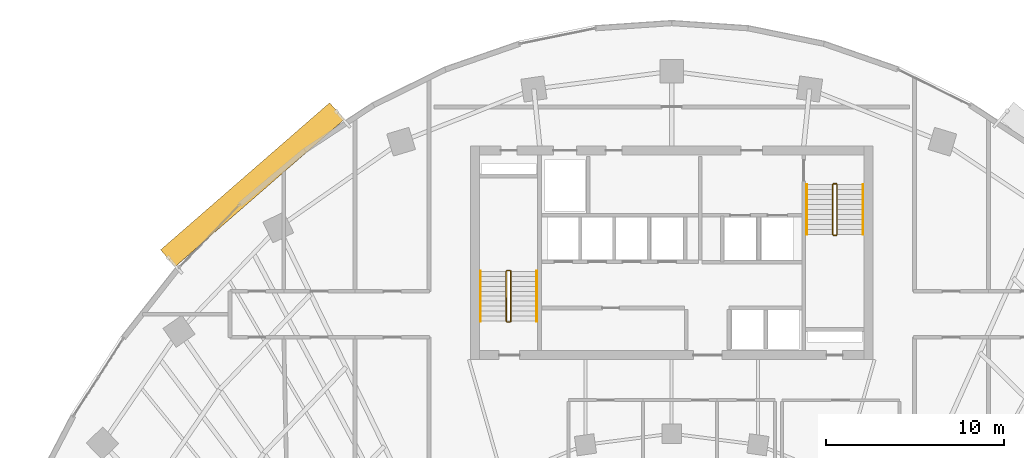
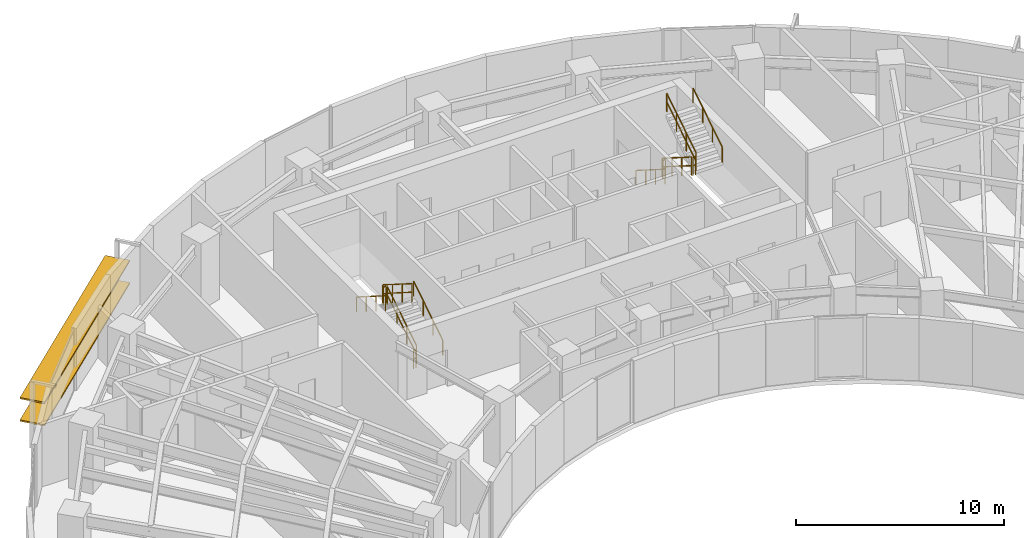
# One storey, part 13 of 14: 12 railings, 2 shading devices.
"""IFC4 building model written with IfcOpenShell, lengths in metres."""

from ifc_helpers import new_model, si_unit, direction, frame, origin, origin_2d, place, context, subcontext, project, spatial, rectangle, extrude, source, transform, mapped, material, material_profile, profile_set, type_object, element, save


model = new_model("IFC4")

# Units and contexts
model_context = context("Model", 3, precision=1e-05, world=origin(), true_north=direction((0.0, 1.0)))
body_context = subcontext(model_context, "Body", "Model", "MODEL_VIEW")
ifc_project = project(units=[si_unit("LENGTHUNIT", "METRE"), si_unit("AREAUNIT", "SQUARE_METRE"), si_unit("VOLUMEUNIT", "CUBIC_METRE"), si_unit("PLANEANGLEUNIT", "RADIAN"), si_unit("MASSUNIT", "GRAM", prefix="KILO")], contexts=[model_context])

# Site, building, storey
site_placement = place(None, origin())
site = spatial("IfcSite", under=ifc_project, at=site_placement, CompositionType="ELEMENT")
building_placement = place(site_placement, origin())
building = spatial("IfcBuilding", under=site, at=building_placement, Name="Breltana Convention Tower", CompositionType="ELEMENT")
storey_placement = place(building_placement, frame((0.0, 0.0, 131.10009765625)))
storey = spatial("IfcBuildingStorey", under=building, at=storey_placement, Name="L31", CompositionType="ELEMENT", Elevation=131.10009765625)

# Railings
ifc_material_1 = material(Name="Steel S275 Painted", Category="steel")
railing_type_1 = type_object("IfcRailingType", Name="RL-STAIR-GUARD-1100", PredefinedType="GUARDRAIL", material=ifc_material_1)
railing_1_placement = place(storey_placement, frame((38.9599609375, 62.360107421875, 0.17724609375)))
element("IfcRailing", 1, at=railing_1_placement, inside=storey, type_object=railing_type_1, Name="L31 ST-1 stair guard 1", PredefinedType="GUARDRAIL", context=body_context, shape_type="SweptSolid", body=[
    extrude(rectangle(XDim=0.048095703125, YDim=0.048095703125, at=origin_2d()), frame((0.0, 0.0, 1.076171875), z_axis=(0.0, 0.844887892834, 0.53494340686), x_axis=(-1.0, 0.0, 0.0)), (0.0, 0.0, 1.0), 3.313720703125),
    extrude(rectangle(XDim=0.048095703125, YDim=0.048095703125, at=origin_2d()), frame((0.0, 0.0, 0.572021484375), z_axis=(0.0, 0.844887892834, 0.53494340686), x_axis=(-1.0, 0.0, 0.0)), (0.0, 0.0, 1.0), 3.313720703125),
    extrude(rectangle(XDim=0.0419921875, YDim=0.0419921875, at=origin_2d()), origin(), (0.0, 0.0, 1.0), 1.052001953125),
    extrude(rectangle(XDim=0.0419921875, YDim=0.0419921875, at=origin_2d()), frame((0.0, 0.933349609375, 0.5908203125)), (0.0, 0.0, 1.0), 1.052001953125),
    extrude(rectangle(XDim=0.0419921875, YDim=0.0419921875, at=origin_2d()), frame((0.0, 1.866455078125, 1.181884765625)), (0.0, 0.0, 1.0), 1.052001953125),
    extrude(rectangle(XDim=0.0419921875, YDim=0.0419921875, at=origin_2d()), frame((0.0, 2.7998046875, 1.772705078125)), (0.0, 0.0, 1.0), 1.052001953125),
])
railing_2_placement = place(storey_placement, frame((38.909912109375, 65.2099609375, 1.949951171875)))
element("IfcRailing", 2, at=railing_2_placement, inside=storey, type_object=railing_type_1, Name="L31 ST-1 stair guard 2", PredefinedType="GUARDRAIL", context=body_context, shape_type="SweptSolid", body=[
    extrude(rectangle(XDim=0.048095703125, YDim=0.048095703125, at=origin_2d()), frame((0.0, 0.0, 1.076171875), z_axis=(-1.0, 0.0, 0.0), x_axis=(0.0, -1.0, 0.0)), (0.0, 0.0, 1.0), 0.14990234375),
    extrude(rectangle(XDim=0.048095703125, YDim=0.048095703125, at=origin_2d()), frame((0.0, 0.0, 0.572021484375), z_axis=(-1.0, 0.0, 0.0), x_axis=(0.0, -1.0, 0.0)), (0.0, 0.0, 1.0), 0.14990234375),
    extrude(rectangle(XDim=0.0419921875, YDim=0.0419921875, at=origin_2d()), origin(), (0.0, 0.0, 1.0), 1.052001953125),
    extrude(rectangle(XDim=0.0419921875, YDim=0.0419921875, at=origin_2d()), frame((-0.14990234375, 0.0, 0.0)), (0.0, 0.0, 1.0), 1.052001953125),
])
railing_3_placement = place(storey_placement, frame((38.7099609375, 65.159912109375, 2.127197265625)))
element("IfcRailing", 3, at=railing_3_placement, inside=storey, type_object=railing_type_1, Name="L31 ST-1 stair guard 3", PredefinedType="GUARDRAIL", context=body_context, shape_type="SweptSolid", body=[
    extrude(rectangle(XDim=0.048095703125, YDim=0.048095703125, at=origin_2d()), frame((0.0, 0.0, 1.076171875), z_axis=(0.0, -0.844887892834, 0.53494340686), x_axis=(1.0, 0.0, 0.0)), (0.0, 0.0, 1.0), 3.313720703125),
    extrude(rectangle(XDim=0.048095703125, YDim=0.048095703125, at=origin_2d()), frame((0.0, 0.0, 0.572021484375), z_axis=(0.0, -0.844887892834, 0.53494340686), x_axis=(1.0, 0.0, 0.0)), (0.0, 0.0, 1.0), 3.313720703125),
    extrude(rectangle(XDim=0.0419921875, YDim=0.0419921875, at=origin_2d()), origin(), (0.0, 0.0, 1.0), 1.052001953125),
    extrude(rectangle(XDim=0.0419921875, YDim=0.0419921875, at=origin_2d()), frame((0.0, -0.933349609375, 0.5908203125)), (0.0, 0.0, 1.0), 1.052001953125),
    extrude(rectangle(XDim=0.0419921875, YDim=0.0419921875, at=origin_2d()), frame((0.0, -1.866455078125, 1.181884765625)), (0.0, 0.0, 1.0), 1.052001953125),
    extrude(rectangle(XDim=0.0419921875, YDim=0.0419921875, at=origin_2d()), frame((0.0, -2.7998046875, 1.772705078125)), (0.0, 0.0, 1.0), 1.052001953125),
])
railing_4_placement = place(storey_placement, frame((38.909912109375, 62.31005859375, 0.0)))
element("IfcRailing", 4, at=railing_4_placement, inside=storey, type_object=railing_type_1, Name="L31 ST-1 stair guard 4", PredefinedType="GUARDRAIL", context=body_context, shape_type="SweptSolid", body=[
    extrude(rectangle(XDim=0.048095703125, YDim=0.048095703125, at=origin_2d()), frame((0.0, 0.0, 1.076171875), z_axis=(-1.0, 0.0, 0.0), x_axis=(0.0, -1.0, 0.0)), (0.0, 0.0, 1.0), 0.14990234375),
    extrude(rectangle(XDim=0.048095703125, YDim=0.048095703125, at=origin_2d()), frame((0.0, 0.0, 0.572021484375), z_axis=(-1.0, 0.0, 0.0), x_axis=(0.0, -1.0, 0.0)), (0.0, 0.0, 1.0), 0.14990234375),
    extrude(rectangle(XDim=0.0419921875, YDim=0.0419921875, at=origin_2d()), origin(), (0.0, 0.0, 1.0), 1.052001953125),
    extrude(rectangle(XDim=0.0419921875, YDim=0.0419921875, at=origin_2d()), frame((-0.14990234375, 0.0, 0.0)), (0.0, 0.0, 1.0), 1.052001953125),
])
railing_5_placement = place(storey_placement, frame((57.0400390625, 70.0400390625, 0.17724609375)))
element("IfcRailing", 5, at=railing_5_placement, inside=storey, type_object=railing_type_1, Name="L31 ST-2 stair guard 1", PredefinedType="GUARDRAIL", context=body_context, shape_type="SweptSolid", body=[
    extrude(rectangle(XDim=0.048095703125, YDim=0.048095703125, at=origin_2d()), frame((0.0, 0.0, 1.076171875), z_axis=(0.0, -0.844908973607, 0.534910110503), x_axis=(1.0, 0.0, 0.0)), (0.0, 0.0, 1.0), 3.31396484375),
    extrude(rectangle(XDim=0.048095703125, YDim=0.048095703125, at=origin_2d()), frame((0.0, 0.0, 0.572021484375), z_axis=(0.0, -0.844908973607, 0.534910110503), x_axis=(1.0, 0.0, 0.0)), (0.0, 0.0, 1.0), 3.31396484375),
    extrude(rectangle(XDim=0.0419921875, YDim=0.0419921875, at=origin_2d()), origin(), (0.0, 0.0, 1.0), 1.052001953125),
    extrude(rectangle(XDim=0.0419921875, YDim=0.0419921875, at=origin_2d()), frame((0.0, -0.933349609375, 0.5908203125)), (0.0, 0.0, 1.0), 1.052001953125),
    extrude(rectangle(XDim=0.0419921875, YDim=0.0419921875, at=origin_2d()), frame((0.0, -1.86669921875, 1.181884765625)), (0.0, 0.0, 1.0), 1.052001953125),
    extrude(rectangle(XDim=0.0419921875, YDim=0.0419921875, at=origin_2d()), frame((0.0, -2.800048828125, 1.772705078125)), (0.0, 0.0, 1.0), 1.052001953125),
])
railing_6_placement = place(storey_placement, frame((57.090087890625, 67.18994140625, 1.949951171875)))
element("IfcRailing", 6, at=railing_6_placement, inside=storey, type_object=railing_type_1, Name="L31 ST-2 stair guard 2", PredefinedType="GUARDRAIL", context=body_context, shape_type="SweptSolid", body=[
    extrude(rectangle(XDim=0.048095703125, YDim=0.048095703125, at=origin_2d()), frame((0.0, 0.0, 1.076171875), z_axis=(1.0, 0.0, 0.0), x_axis=(0.0, 1.0, 0.0)), (0.0, 0.0, 1.0), 0.14990234375),
    extrude(rectangle(XDim=0.048095703125, YDim=0.048095703125, at=origin_2d()), frame((0.0, 0.0, 0.572021484375), z_axis=(1.0, 0.0, 0.0), x_axis=(0.0, 1.0, 0.0)), (0.0, 0.0, 1.0), 0.14990234375),
    extrude(rectangle(XDim=0.0419921875, YDim=0.0419921875, at=origin_2d()), origin(), (0.0, 0.0, 1.0), 1.052001953125),
    extrude(rectangle(XDim=0.0419921875, YDim=0.0419921875, at=origin_2d()), frame((0.14990234375, 0.0, 0.0)), (0.0, 0.0, 1.0), 1.052001953125),
])
railing_7_placement = place(storey_placement, frame((57.2900390625, 67.239990234375, 2.127197265625)))
element("IfcRailing", 7, at=railing_7_placement, inside=storey, type_object=railing_type_1, Name="L31 ST-2 stair guard 3", PredefinedType="GUARDRAIL", context=body_context, shape_type="SweptSolid", body=[
    extrude(rectangle(XDim=0.048095703125, YDim=0.048095703125, at=origin_2d()), frame((0.0, 0.0, 1.076171875), z_axis=(0.0, 0.844908973607, 0.534910110503), x_axis=(-1.0, 0.0, 0.0)), (0.0, 0.0, 1.0), 3.31396484375),
    extrude(rectangle(XDim=0.048095703125, YDim=0.048095703125, at=origin_2d()), frame((0.0, 0.0, 0.572021484375), z_axis=(0.0, 0.844908973607, 0.534910110503), x_axis=(-1.0, 0.0, 0.0)), (0.0, 0.0, 1.0), 3.31396484375),
    extrude(rectangle(XDim=0.0419921875, YDim=0.0419921875, at=origin_2d()), origin(), (0.0, 0.0, 1.0), 1.052001953125),
    extrude(rectangle(XDim=0.0419921875, YDim=0.0419921875, at=origin_2d()), frame((0.0, 0.933349609375, 0.5908203125)), (0.0, 0.0, 1.0), 1.052001953125),
    extrude(rectangle(XDim=0.0419921875, YDim=0.0419921875, at=origin_2d()), frame((0.0, 1.86669921875, 1.181884765625)), (0.0, 0.0, 1.0), 1.052001953125),
    extrude(rectangle(XDim=0.0419921875, YDim=0.0419921875, at=origin_2d()), frame((0.0, 2.800048828125, 1.772705078125)), (0.0, 0.0, 1.0), 1.052001953125),
])
railing_8_placement = place(storey_placement, frame((57.090087890625, 70.090087890625, 0.0)))
element("IfcRailing", 8, at=railing_8_placement, inside=storey, type_object=railing_type_1, Name="L31 ST-2 stair guard 4", PredefinedType="GUARDRAIL", context=body_context, shape_type="SweptSolid", body=[
    extrude(rectangle(XDim=0.048095703125, YDim=0.048095703125, at=origin_2d()), frame((0.0, 0.0, 1.076171875), z_axis=(1.0, 0.0, 0.0), x_axis=(0.0, 1.0, 0.0)), (0.0, 0.0, 1.0), 0.14990234375),
    extrude(rectangle(XDim=0.048095703125, YDim=0.048095703125, at=origin_2d()), frame((0.0, 0.0, 0.572021484375), z_axis=(1.0, 0.0, 0.0), x_axis=(0.0, 1.0, 0.0)), (0.0, 0.0, 1.0), 0.14990234375),
    extrude(rectangle(XDim=0.0419921875, YDim=0.0419921875, at=origin_2d()), origin(), (0.0, 0.0, 1.0), 1.052001953125),
    extrude(rectangle(XDim=0.0419921875, YDim=0.0419921875, at=origin_2d()), frame((0.14990234375, 0.0, 0.0)), (0.0, 0.0, 1.0), 1.052001953125),
])
ifc_material_2 = material(Name="Stainless Steel 316L", Category="steel")
railing_type_2 = type_object("IfcRailingType", Name="RL-STAIR-HANDRAIL-900", PredefinedType="HANDRAIL", material=ifc_material_2)
railing_9_placement = place(storey_placement, frame((40.419921875, 62.360107421875, 0.17724609375)))
element("IfcRailing", 9, at=railing_9_placement, inside=storey, type_object=railing_type_2, Name="L31 ST-1 stair handrail 1", PredefinedType="HANDRAIL", context=body_context, shape_type="SweptSolid", body=[
    extrude(rectangle(XDim=0.048095703125, YDim=0.048095703125, at=origin_2d()), frame((0.0, 0.0, 0.8759765625), z_axis=(0.0, 0.844887892834, 0.53494340686), x_axis=(-1.0, 0.0, 0.0)), (0.0, 0.0, 1.0), 3.313720703125),
    extrude(rectangle(XDim=0.0419921875, YDim=0.0419921875, at=origin_2d()), origin(), (0.0, 0.0, 1.0), 0.851806640625),
    extrude(rectangle(XDim=0.0419921875, YDim=0.0419921875, at=origin_2d()), frame((0.0, 0.933349609375, 0.5908203125)), (0.0, 0.0, 1.0), 0.851806640625),
    extrude(rectangle(XDim=0.0419921875, YDim=0.0419921875, at=origin_2d()), frame((0.0, 1.866455078125, 1.181884765625)), (0.0, 0.0, 1.0), 0.851806640625),
    extrude(rectangle(XDim=0.0419921875, YDim=0.0419921875, at=origin_2d()), frame((0.0, 2.7998046875, 1.772705078125)), (0.0, 0.0, 1.0), 0.851806640625),
])
railing_10_placement = place(storey_placement, frame((37.25, 65.159912109375, 2.127197265625)))
element("IfcRailing", 10, at=railing_10_placement, inside=storey, type_object=railing_type_2, Name="L31 ST-1 stair handrail 2", PredefinedType="HANDRAIL", context=body_context, shape_type="SweptSolid", body=[
    extrude(rectangle(XDim=0.048095703125, YDim=0.048095703125, at=origin_2d()), frame((0.0, 0.0, 0.8759765625), z_axis=(0.0, -0.844887892834, 0.53494340686), x_axis=(1.0, 0.0, 0.0)), (0.0, 0.0, 1.0), 3.313720703125),
    extrude(rectangle(XDim=0.0419921875, YDim=0.0419921875, at=origin_2d()), origin(), (0.0, 0.0, 1.0), 0.851806640625),
    extrude(rectangle(XDim=0.0419921875, YDim=0.0419921875, at=origin_2d()), frame((0.0, -0.933349609375, 0.5908203125)), (0.0, 0.0, 1.0), 0.851806640625),
    extrude(rectangle(XDim=0.0419921875, YDim=0.0419921875, at=origin_2d()), frame((0.0, -1.866455078125, 1.181884765625)), (0.0, 0.0, 1.0), 0.851806640625),
    extrude(rectangle(XDim=0.0419921875, YDim=0.0419921875, at=origin_2d()), frame((0.0, -2.7998046875, 1.772705078125)), (0.0, 0.0, 1.0), 0.851806640625),
])
railing_11_placement = place(storey_placement, frame((55.580078125, 70.0400390625, 0.17724609375)))
element("IfcRailing", 11, at=railing_11_placement, inside=storey, type_object=railing_type_2, Name="L31 ST-2 stair handrail 1", PredefinedType="HANDRAIL", context=body_context, shape_type="SweptSolid", body=[
    extrude(rectangle(XDim=0.048095703125, YDim=0.048095703125, at=origin_2d()), frame((0.0, 0.0, 0.8759765625), z_axis=(0.0, -0.844908973607, 0.534910110503), x_axis=(1.0, 0.0, 0.0)), (0.0, 0.0, 1.0), 3.31396484375),
    extrude(rectangle(XDim=0.0419921875, YDim=0.0419921875, at=origin_2d()), origin(), (0.0, 0.0, 1.0), 0.851806640625),
    extrude(rectangle(XDim=0.0419921875, YDim=0.0419921875, at=origin_2d()), frame((0.0, -0.933349609375, 0.5908203125)), (0.0, 0.0, 1.0), 0.851806640625),
    extrude(rectangle(XDim=0.0419921875, YDim=0.0419921875, at=origin_2d()), frame((0.0, -1.86669921875, 1.181884765625)), (0.0, 0.0, 1.0), 0.851806640625),
    extrude(rectangle(XDim=0.0419921875, YDim=0.0419921875, at=origin_2d()), frame((0.0, -2.800048828125, 1.772705078125)), (0.0, 0.0, 1.0), 0.851806640625),
])
railing_12_placement = place(storey_placement, frame((58.75, 67.239990234375, 2.127197265625)))
element("IfcRailing", 12, at=railing_12_placement, inside=storey, type_object=railing_type_2, Name="L31 ST-2 stair handrail 2", PredefinedType="HANDRAIL", context=body_context, shape_type="SweptSolid", body=[
    extrude(rectangle(XDim=0.048095703125, YDim=0.048095703125, at=origin_2d()), frame((0.0, 0.0, 0.8759765625), z_axis=(0.0, 0.844908973607, 0.534910110503), x_axis=(-1.0, 0.0, 0.0)), (0.0, 0.0, 1.0), 3.31396484375),
    extrude(rectangle(XDim=0.0419921875, YDim=0.0419921875, at=origin_2d()), origin(), (0.0, 0.0, 1.0), 0.851806640625),
    extrude(rectangle(XDim=0.0419921875, YDim=0.0419921875, at=origin_2d()), frame((0.0, 0.933349609375, 0.5908203125)), (0.0, 0.0, 1.0), 0.851806640625),
    extrude(rectangle(XDim=0.0419921875, YDim=0.0419921875, at=origin_2d()), frame((0.0, 1.86669921875, 1.181884765625)), (0.0, 0.0, 1.0), 0.851806640625),
    extrude(rectangle(XDim=0.0419921875, YDim=0.0419921875, at=origin_2d()), frame((0.0, 2.800048828125, 1.772705078125)), (0.0, 0.0, 1.0), 0.851806640625),
])

# Shading devices
ifc_material_3 = material(Name="Limestone Warm Buff Honed", Category="masonry")
ifc_material_profile = material_profile(ifc_material_3, rectangle(XDim=1.25, YDim=0.090087890625, at=origin_2d()), Name="STN-LVR-1250X90")
ifc_profile_set = profile_set([ifc_material_profile], Name="Limestone Warm Buff Honed")
shading_device_type = type_object("IfcShadingDeviceType", Name="SHD-OUTER-SKIN-LIMESTONE-1250", PredefinedType="JALOUSIE", material=ifc_profile_set)
shared_shape = source(origin(), body_context, "Body", "SweptSolid", [
    extrude(rectangle(XDim=1.25, YDim=0.090087890625, at=origin_2d()), origin(), (0.0, 0.0, 1.0), 12.59423828125),
])
for number, where, z_axis, x_axis, name in (
    (13, (19.6826171875, 65.894775390625, 1.31396484375), (0.754366759368, 0.656453191295, 0.0), (-0.656453191295, 0.754366759368, 0.0), "L31 outer skin warm limestone louvre 1.1"),
    (14, (19.6826171875, 65.894775390625, 2.6279296875), (0.754366759368, 0.656453191295, 0.0), (-0.656453191295, 0.754366759368, 0.0), "L31 outer skin warm limestone louvre 1.2"),
):
    element("IfcShadingDevice", number, at=place(storey_placement, frame(where, z_axis=z_axis, x_axis=x_axis)), inside=storey, type_object=shading_device_type, Name=name, PredefinedType="JALOUSIE", context=body_context, shape_type="MappedRepresentation", body=[
        mapped(shared_shape, transform((0.0, 0.0, 0.0), scale=1.0)),
    ])

save(model, "model.ifc")
